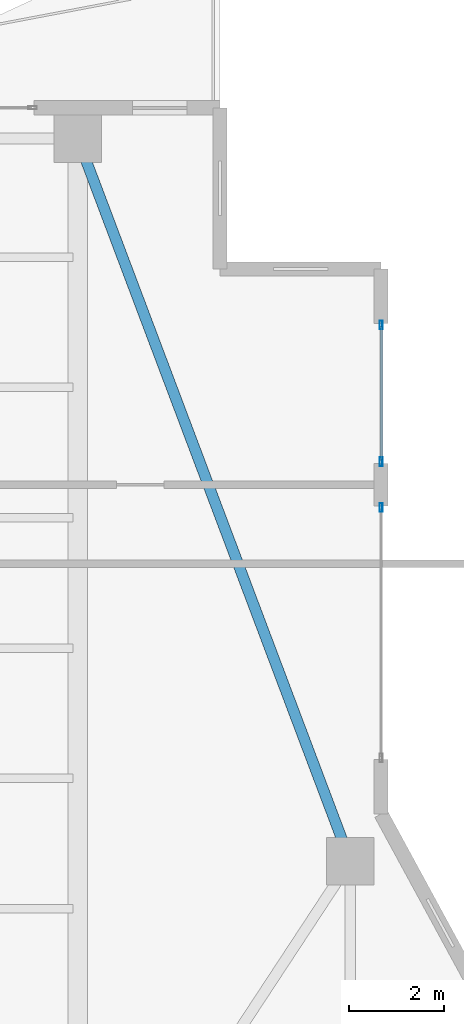
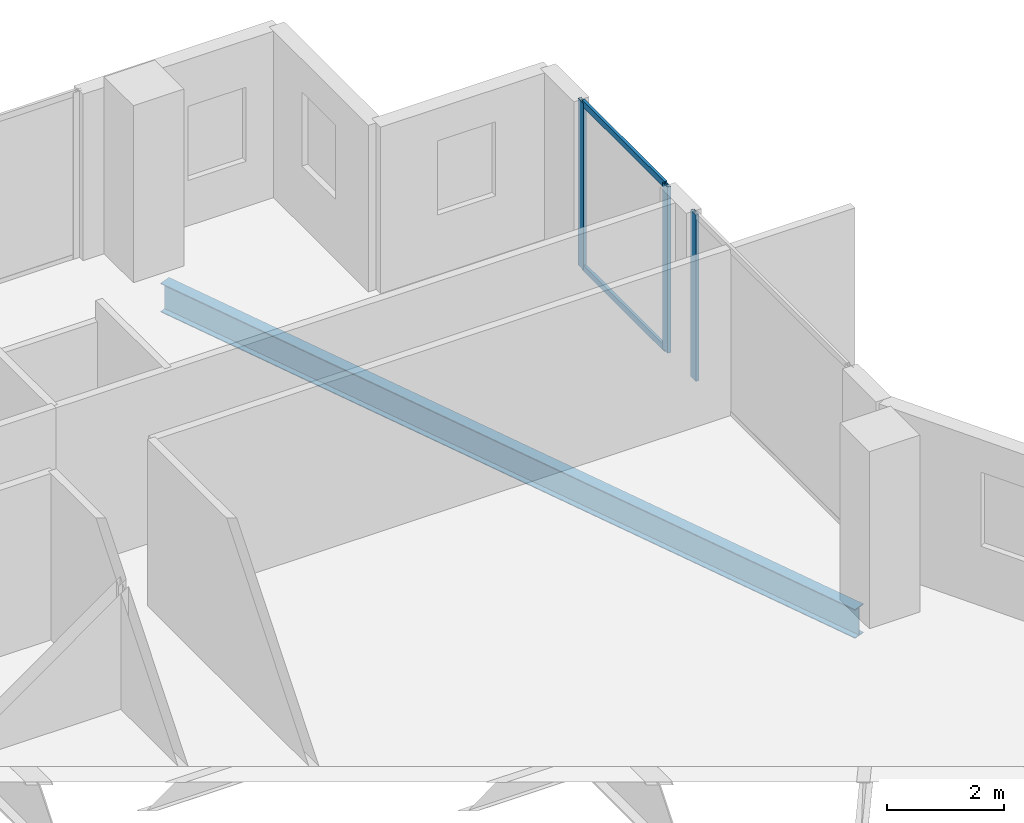
# One storey, part 15 of 26: 5 members, 1 beam, 2 elements without a shape of their own.
"""IFC4 building model written with IfcOpenShell, lengths in metres."""

from ifc_helpers import new_model, si_unit, direction, frame, origin, origin_2d, place, context, subcontext, project, spatial, hollow_rectangle, i_section, extrude, material, layer, layer_set, material_profile, profile_set, type_object, element, aggregate, save


model = new_model("IFC4")

# Units and contexts
model_context = context("Model", 3, precision=1e-05, world=origin(), true_north=direction((0.0, 1.0)))
body_context = subcontext(model_context, "Body", "Model", "MODEL_VIEW")
ifc_project = project(units=[si_unit("LENGTHUNIT", "METRE"), si_unit("AREAUNIT", "SQUARE_METRE"), si_unit("VOLUMEUNIT", "CUBIC_METRE"), si_unit("PLANEANGLEUNIT", "RADIAN"), si_unit("MASSUNIT", "GRAM", prefix="KILO")], contexts=[model_context])

# Site, building, storey
site_placement = place(None, origin())
site = spatial("IfcSite", under=ifc_project, at=site_placement, CompositionType="ELEMENT")
building_placement = place(site_placement, origin())
building = spatial("IfcBuilding", under=site, at=building_placement, Name="Zuhayl Quay Hotel", CompositionType="ELEMENT")
storey_placement = place(building_placement, frame((0.0, 0.0, 247.050048828125)))
storey = spatial("IfcBuildingStorey", under=building, at=storey_placement, Name="L62", CompositionType="ELEMENT", Elevation=247.050048828125)

# Beam
ifc_material_1 = material(Name="Steel ASTM A992 Grade 50", Category="steel")
ifc_material_profile_1 = material_profile(ifc_material_1, i_section(OverallWidth=0.22802734375, OverallDepth=0.60693359375, WebThickness=0.01123046875, FlangeThickness=0.017333984375, at=origin_2d()), Name="W24X76")
ifc_profile_set_1 = profile_set([ifc_material_profile_1], Name="Steel ASTM A992 Grade 50")
beam_type = type_object("IfcBeamType", Name="BM_B3_W24X76", PredefinedType="BEAM", material=ifc_profile_set_1)
beam_placement = place(storey_placement, frame((19.3876953125, 23.530517578125, -0.5234375), z_axis=(-0.352796603103, 0.935700035716, 0.0), x_axis=(-0.935700035716, -0.352796603103, 0.0)))
element("IfcBeam", 1, at=beam_placement, inside=storey, type_object=beam_type, Name="L62 Floor Beam RG_L62_06", PredefinedType="BEAM", context=body_context, shape_type="SweptSolid", body=[
    extrude(i_section(OverallWidth=0.22802734375, OverallDepth=0.60693359375, WebThickness=0.01123046875, FlangeThickness=0.017333984375, at=origin_2d()), origin(), (0.0, 0.0, 1.0), 15.3779296875),
])

# Curtain wall, members
ifc_material_2 = material(Name="Anodised Aluminium 6063-T6", Category="aluminium")
ifc_layer = layer(ifc_material_2, 0.169921875, Name="Anodised Aluminium 6063-T6", Category="aluminium")
ifc_layer_set = layer_set([ifc_layer], Name="Anodised Aluminium 6063-T6")
curtain_wall_type = type_object("IfcCurtainWallType", Name="CW_SYS_Z4", PredefinedType="USERDEFINED", material=ifc_layer_set)
curtain_wall_1_placement = place(storey_placement, origin())
curtain_wall_1 = element("IfcCurtainWall", 2, at=curtain_wall_1_placement, inside=storey, type_object=curtain_wall_type, Name="L62 Curtain Wall ENV_L62_E11_CW1", ObjectType="UNITISED CURTAIN WALL", PredefinedType="USERDEFINED")
ifc_material_3 = material(Name="Black-anodised aluminium 6063-T6", Category="aluminium")
ifc_material_profile_2 = material_profile(ifc_material_3, hollow_rectangle(XDim=0.06494140625, YDim=0.179931640625, WallThickness=0.00341796875, at=origin_2d()), Name="ALU180X65")
ifc_profile_set_2 = profile_set([ifc_material_profile_2], Name="Black-anodised aluminium 6063-T6")
member_type_1 = type_object("IfcMemberType", Name="MB_CW_MUL_180", PredefinedType="MULLION", material=ifc_profile_set_2)
member_1_placement = place(storey_placement, frame((20.199951171875, 34.41748046875, 0.0), z_axis=(0.0, 0.0, 1.0), x_axis=(1.0, 0.0, 0.0)))
member_1 = element("IfcMember", 3, at=member_1_placement, type_object=member_type_1, Name="CW-Z4 mullion 1", PredefinedType="MULLION", context=body_context, shape_type="SweptSolid", body=[
    extrude(hollow_rectangle(XDim=0.06494140625, YDim=0.179931640625, WallThickness=0.00341796875, at=origin_2d()), origin(), (0.0, 0.0, 1.0), 3.47998046875),
])
member_2_placement = place(storey_placement, frame((20.199951171875, 31.532470703125, 0.0), z_axis=(0.0, 0.0, 1.0), x_axis=(1.0, 0.0, 0.0)))
member_2 = element("IfcMember", 4, at=member_2_placement, type_object=member_type_1, Name="CW-Z4 mullion 2", PredefinedType="MULLION", context=body_context, shape_type="SweptSolid", body=[
    extrude(hollow_rectangle(XDim=0.06494140625, YDim=0.179931640625, WallThickness=0.00341796875, at=origin_2d()), origin(), (0.0, 0.0, 1.0), 3.47998046875),
])

# Curtain wall, member
curtain_wall_2_placement = place(storey_placement, origin())
curtain_wall_2 = element("IfcCurtainWall", 5, at=curtain_wall_2_placement, inside=storey, type_object=curtain_wall_type, Name="L62 Curtain Wall ENV_L62_E11_CW2", ObjectType="UNITISED CURTAIN WALL", PredefinedType="USERDEFINED")
member_3_placement = place(storey_placement, frame((20.199951171875, 30.5673828125, 0.0), z_axis=(0.0, 0.0, 1.0), x_axis=(1.0, 0.0, 0.0)))
member_3 = element("IfcMember", 6, at=member_3_placement, type_object=member_type_1, Name="CW-Z4 mullion 1", PredefinedType="MULLION", context=body_context, shape_type="SweptSolid", body=[
    extrude(hollow_rectangle(XDim=0.06494140625, YDim=0.179931640625, WallThickness=0.00341796875, at=origin_2d()), origin(), (0.0, 0.0, 1.0), 3.47998046875),
])
aggregate(curtain_wall_2, [member_3])

# Member
ifc_material_profile_3 = material_profile(ifc_material_3, hollow_rectangle(XDim=0.054931640625, YDim=0.1298828125, WallThickness=0.0029296875, at=origin_2d()), Name="ALU130X55")
ifc_profile_set_3 = profile_set([ifc_material_profile_3], Name="Black-anodised aluminium 6063-T6")
member_type_2 = type_object("IfcMemberType", Name="MB_CW_TRN_130", PredefinedType="USERDEFINED", material=ifc_profile_set_3)
member_4_placement = place(storey_placement, frame((20.199951171875, 34.385009765625, 0.02734375), z_axis=(0.0, -1.0, 0.0), x_axis=(1.0, 0.0, 0.0)))
member_4 = element("IfcMember", 7, at=member_4_placement, type_object=member_type_2, Name="CW-Z4 transom 1.1", ObjectType="TRANSOM", PredefinedType="USERDEFINED", context=body_context, shape_type="SweptSolid", body=[
    extrude(hollow_rectangle(XDim=0.054931640625, YDim=0.1298828125, WallThickness=0.0029296875, at=origin_2d()), origin(), (0.0, 0.0, 1.0), 2.820068359375),
])

member_5_placement = place(storey_placement, frame((20.199951171875, 34.385009765625, 3.452392578125), z_axis=(0.0, -1.0, 0.0), x_axis=(1.0, 0.0, 0.0)))
member_5 = element("IfcMember", 8, at=member_5_placement, type_object=member_type_2, Name="CW-Z4 transom 1.2", ObjectType="TRANSOM", PredefinedType="USERDEFINED", context=body_context, shape_type="SweptSolid", body=[
    extrude(hollow_rectangle(XDim=0.054931640625, YDim=0.1298828125, WallThickness=0.0029296875, at=origin_2d()), origin(), (0.0, 0.0, 1.0), 2.820068359375),
])

aggregate(curtain_wall_1, [member_1, member_2, member_4, member_5])

save(model, "model.ifc")
